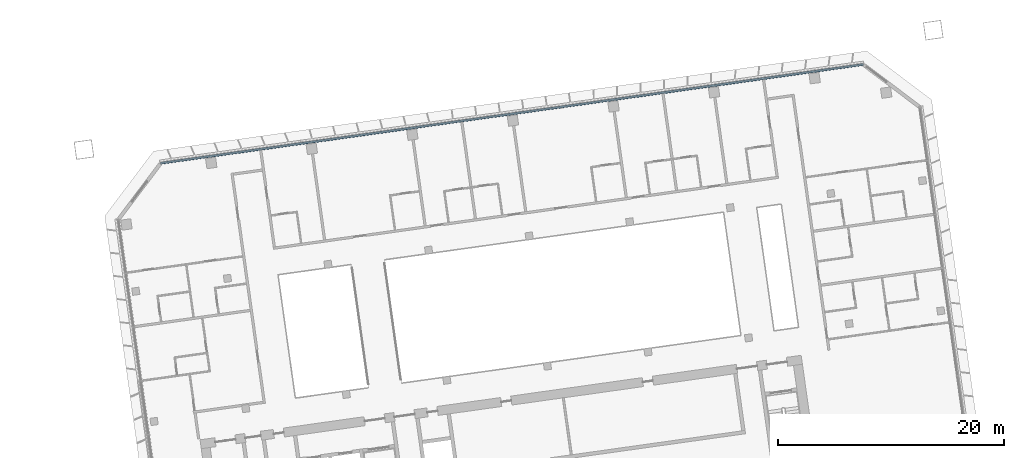
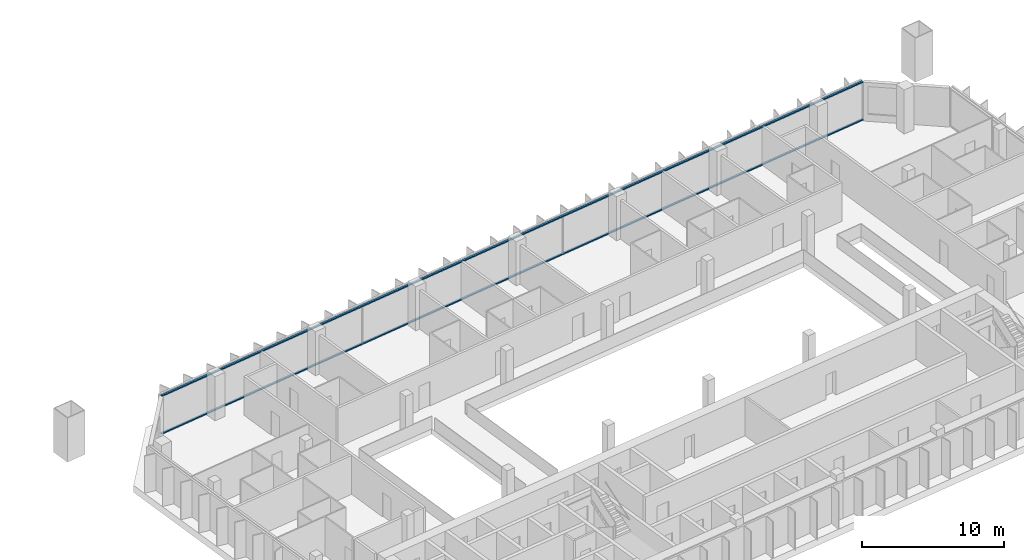
# One storey, part 9 of 26: 2 members, 1 element without a shape of its own.
"""IFC4 building model written with IfcOpenShell, lengths in metres."""

import ifcopenshell
import ifcopenshell.guid

model = None  # the IFC model being written
_history = None  # IfcOwnerHistory: only IFC2X3 demands one
_inside = {}  # id of a spatial element -> (the spatial element, [elements in it])
_under = {}  # id of a project, library or spatial element -> (it, [spatial elements below it])
_declared = {}  # id of a project -> (the project, [libraries it declares])
_typed = {}  # id of a type object -> (the type object, [elements of that type])
_made_of = {}  # id of a material, layer set ... -> (it, [elements and type objects made of it])


def new_model(schema):
    """Start an empty IFC model of exactly this schema.

    Asked for "IFC4X3", IfcOpenShell would pick the latest addendum, in which some entities
    have other attributes; the version numbers below select the first issue.
    IFC2X3 requires an IfcOwnerHistory on every rooted entity: one is made here for all.
    """
    global model, _history
    if schema == "IFC4X3":
        model = ifcopenshell.file(schema_version=(4, 3, 0, 0))
    else:
        model = ifcopenshell.file(schema=schema)
    _inside.clear()
    _under.clear()
    _declared.clear()
    _typed.clear()
    _made_of.clear()
    _history = None
    if model.schema == "IFC2X3":
        org = make("IfcOrganization", Name="unknown")
        user = make(
            "IfcPersonAndOrganization",
            ThePerson=make("IfcPerson", FamilyName="unknown"),
            TheOrganization=org,
        )
        app = make(
            "IfcApplication",
            ApplicationDeveloper=org,
            Version="unknown",
            ApplicationFullName="unknown",
            ApplicationIdentifier="unknown",
        )
        _history = make(
            "IfcOwnerHistory",
            OwningUser=user,
            OwningApplication=app,
            ChangeAction="ADDED",
            CreationDate=0,
        )
    return model


def make(cls, **values):
    """One entity of the class cls with the attributes given. An attribute that is None is left unset."""
    return model.create_entity(
        cls, **{name: value for name, value in values.items() if value is not None}
    )


def rooted(cls, **values):
    """An entity with a GlobalId (a new one), such as an element, a storey or a relation."""
    return make(cls, GlobalId=ifcopenshell.guid.new(), OwnerHistory=_history, **values)


def si_unit(unit_type, name, prefix=None):
    """IfcSIUnit, for example si_unit("LENGTHUNIT", "METRE", prefix="MILLI")."""
    return make("IfcSIUnit", UnitType=unit_type, Prefix=prefix, Name=name)


def assignment(units):
    """IfcUnitAssignment: the units of a project."""
    return None if units is None else make("IfcUnitAssignment", Units=units)


def point(xyz):
    """IfcCartesianPoint."""
    return None if xyz is None else make("IfcCartesianPoint", Coordinates=xyz)


def direction(xyz):
    """IfcDirection."""
    return None if xyz is None else make("IfcDirection", DirectionRatios=xyz)


def frame(location, z_axis=None, x_axis=None):
    """IfcAxis2Placement3D, a coordinate frame: its origin and axes. An axis left out is left unset."""
    return make(
        "IfcAxis2Placement3D",
        Location=point(location),
        Axis=direction(z_axis),
        RefDirection=direction(x_axis),
    )


def frame_2d(location, x_axis=None):
    """IfcAxis2Placement2D, a coordinate frame in the plane: its origin and x axis."""
    return make(
        "IfcAxis2Placement2D", Location=point(location), RefDirection=direction(x_axis)
    )


def origin():
    """The frame at (0, 0, 0) with its axes left unset."""
    return frame((0.0, 0.0, 0.0))


def origin_2d():
    """The frame at (0, 0) in the plane with its x axis left unset."""
    return frame_2d((0.0, 0.0))


def place(relative_to, where):
    """IfcLocalPlacement: puts the frame where relative to a parent placement (None: the world)."""
    return make(
        "IfcLocalPlacement", PlacementRelTo=relative_to, RelativePlacement=where
    )


def context(
    kind, dimensions, precision=None, world=None, true_north=None, identifier=None
):
    """IfcGeometricRepresentationContext, for example the 3D "Model" context."""
    return make(
        "IfcGeometricRepresentationContext",
        ContextIdentifier=identifier,
        ContextType=kind,
        CoordinateSpaceDimension=dimensions,
        Precision=precision,
        WorldCoordinateSystem=world,
        TrueNorth=true_north,
    )


def subcontext(parent, identifier, kind, view, scale=None):
    """IfcGeometricRepresentationSubContext, for example "Body" below "Model"."""
    return make(
        "IfcGeometricRepresentationSubContext",
        ContextIdentifier=identifier,
        ContextType=kind,
        ParentContext=parent,
        TargetScale=scale,
        TargetView=view,
    )


def project(units=None, contexts=None):
    """IfcProject with its units and contexts."""
    return rooted(
        "IfcProject",
        Name="project",
        RepresentationContexts=contexts,
        UnitsInContext=assignment(units),
    )


def spatial(cls, under=None, at=None, **own):
    """A site, building, storey or space (cls), placed at a placement, below another one or the project."""
    s = rooted(cls, ObjectPlacement=at, **own)
    if under is not None:
        _under.setdefault(under.id(), (under, []))[1].append(s)
    return s


def profile(cls, at=None, kind="AREA", **sizes):
    """A parametric profile (cls). Its sizes go by their IFC names, for example OverallWidth=200.0."""
    return make(cls, ProfileType=kind, Position=at, **sizes)


def rectangle(**sizes):
    """IfcRectangleProfileDef."""
    return profile("IfcRectangleProfileDef", **sizes)


def extrude(swept, where, along, depth):
    """IfcExtrudedAreaSolid: the profile swept, set in the frame where, extruded along a direction by depth."""
    return make(
        "IfcExtrudedAreaSolid",
        SweptArea=swept,
        Position=where,
        ExtrudedDirection=direction(along),
        Depth=depth,
    )


def shape(context_of_items, identifier, shape_type, items):
    """IfcShapeRepresentation: the items that make up one representation, for example the "Body"."""
    return make(
        "IfcShapeRepresentation",
        ContextOfItems=context_of_items,
        RepresentationIdentifier=identifier,
        RepresentationType=shape_type,
        Items=items,
    )


def material(Name=None, Category=None):
    """IfcMaterial."""
    return make("IfcMaterial", Name=Name, Category=Category)


def material_profile(
    of_material, cross_section, Name=None, Category=None, Priority=None
):
    """IfcMaterialProfile: a cross section and its material."""
    return make(
        "IfcMaterialProfile",
        Name=Name,
        Material=of_material,
        Profile=cross_section,
        Priority=Priority,
        Category=Category,
    )


def profile_set(profiles, Name=None, composite=None):
    """IfcMaterialProfileSet."""
    return make(
        "IfcMaterialProfileSet",
        Name=Name,
        MaterialProfiles=profiles,
        CompositeProfile=composite,
    )


def made_of(thing, what):
    """Note that an element or type object is made of a material, layer set ...; save() writes the relation."""
    if what is not None:
        _made_of.setdefault(what.id(), (what, []))[1].append(thing)
    return thing


def type_object(cls, material=None, **own):
    """A type object (cls), such as IfcWallType, which elements share."""
    return made_of(rooted(cls, **own), material)


def element(
    cls,
    number,
    at=None,
    inside=None,
    cuts=None,
    type_object=None,
    material=None,
    context=None,
    identifier="Body",
    shape_type=None,
    held_by="IfcProductDefinitionShape",
    body=None,
    shapes=None,
    **own,
):
    """One element of the class cls, such as IfcWall. Its Tag is "e" and its number.

    at: its placement. inside: the storey or other place that contains it. cuts: it is an
    opening in that element (IfcRelVoidsElement). A single representation is given by context,
    identifier, shape_type and body (its items); several are given by shapes. held_by: the class
    of the entity that holds the representations. save() writes the other relations.
    """
    e = rooted(cls, Tag="e%d" % number, ObjectPlacement=at, **own)
    if body is not None:
        shapes = [shape(context, identifier, shape_type, body)]
    if shapes is not None:
        e.Representation = make(held_by, Representations=shapes)
    if inside is not None:
        _inside.setdefault(inside.id(), (inside, []))[1].append(e)
    if cuts is not None:
        rooted(
            "IfcRelVoidsElement", RelatingBuildingElement=cuts, RelatedOpeningElement=e
        )
    if type_object is not None:
        _typed.setdefault(type_object.id(), (type_object, []))[1].append(e)
    return made_of(e, material)


def aggregate(whole, parts):
    """IfcRelAggregates: a whole, such as a stair, and the parts it consists of."""
    return rooted("IfcRelAggregates", RelatingObject=whole, RelatedObjects=parts)


def save(model, path):
    """Write the relations noted so far, then the file.

    IfcRelAggregates (storeys below a building ...), IfcRelContainedInSpatialStructure (elements
    in a storey), IfcRelDefinesByType, IfcRelAssociatesMaterial and IfcRelDeclares: one each for
    every whole, place, type object, material and project.
    """
    for whole, parts in _under.values():
        aggregate(whole, parts)
    for where, things in _inside.values():
        rooted(
            "IfcRelContainedInSpatialStructure",
            RelatedElements=things,
            RelatingStructure=where,
        )
    for kind, things in _typed.values():
        rooted("IfcRelDefinesByType", RelatedObjects=things, RelatingType=kind)
    for what, things in _made_of.values():
        rooted("IfcRelAssociatesMaterial", RelatedObjects=things, RelatingMaterial=what)
    for by, libraries in _declared.values():
        rooted("IfcRelDeclares", RelatingContext=by, RelatedDefinitions=libraries)
    model.write(path)


model = new_model("IFC4")

# Units and contexts
model_context = context("Model", 3, precision=1e-05, world=origin(), true_north=direction((0.0, 1.0)))
body_context = subcontext(model_context, "Body", "Model", "MODEL_VIEW")
ifc_project = project(units=[si_unit("LENGTHUNIT", "METRE"), si_unit("AREAUNIT", "SQUARE_METRE"), si_unit("VOLUMEUNIT", "CUBIC_METRE"), si_unit("PLANEANGLEUNIT", "RADIAN"), si_unit("MASSUNIT", "GRAM", prefix="KILO")], contexts=[model_context])

# Site, building, storey
site_placement = place(None, origin())
site = spatial("IfcSite", under=ifc_project, at=site_placement, CompositionType="ELEMENT")
building_placement = place(site_placement, origin())
building = spatial("IfcBuilding", under=site, at=building_placement, Name="Mirante Cascada Hotel Towers", CompositionType="ELEMENT")
storey_placement = place(building_placement, frame((0.0, 0.0, 113.9)))
storey = spatial("IfcBuildingStorey", under=building, at=storey_placement, Name="L25", CompositionType="ELEMENT", Elevation=113.9)

# Curtain wall, members
ifc_material_1 = material(Name="Aluminium mullion and transom frame with clear laminated glass", Category="aluminium")
curtain_wall_type = type_object("IfcCurtainWallType", Name="Ribbon curtain wall ECW1", PredefinedType="NOTDEFINED", material=ifc_material_1)
curtain_wall_placement = place(storey_placement, origin())
curtain_wall = element("IfcCurtainWall", 1, at=curtain_wall_placement, inside=storey, type_object=curtain_wall_type, Name="Front ribbon wall T2 L25", PredefinedType="NOTDEFINED")
ifc_material_2 = material(Name="Anodised aluminium extrusion", Category="aluminium")
ifc_material_profile = material_profile(ifc_material_2, rectangle(XDim=0.16, YDim=0.1, at=origin_2d()), Name="ECW1 TRANSOM 100x160")
ifc_profile_set = profile_set([ifc_material_profile], Name="Anodised aluminium extrusion")
member_type = type_object("IfcMemberType", Name="ECW1 transom 100x160", PredefinedType="USERDEFINED", material=ifc_profile_set)
member_1_placement = place(storey_placement, frame((94.1582, 26.0521, 0.05), z_axis=(-0.9902681, -0.1391728, 0.0), x_axis=(0.1391728, -0.9902681, 0.0)))
member_1 = element("IfcMember", 2, at=member_1_placement, type_object=member_type, Name="ECW1 sill transom", ObjectType="TRANSOM", PredefinedType="USERDEFINED", context=body_context, shape_type="SweptSolid", body=[
    extrude(rectangle(XDim=0.16, YDim=0.1, at=origin_2d()), origin(), (0.0, 0.0, 1.0), 62.8758),
])
member_2_placement = place(storey_placement, frame((94.1582, 26.0521, 3.3), z_axis=(-0.9902681, -0.1391728, 0.0), x_axis=(0.1391728, -0.9902681, 0.0)))
member_2 = element("IfcMember", 3, at=member_2_placement, type_object=member_type, Name="ECW1 head transom", ObjectType="TRANSOM", PredefinedType="USERDEFINED", context=body_context, shape_type="SweptSolid", body=[
    extrude(rectangle(XDim=0.16, YDim=0.1, at=origin_2d()), origin(), (0.0, 0.0, 1.0), 62.8758),
])
aggregate(curtain_wall, [member_1, member_2])

save(model, "model.ifc")
